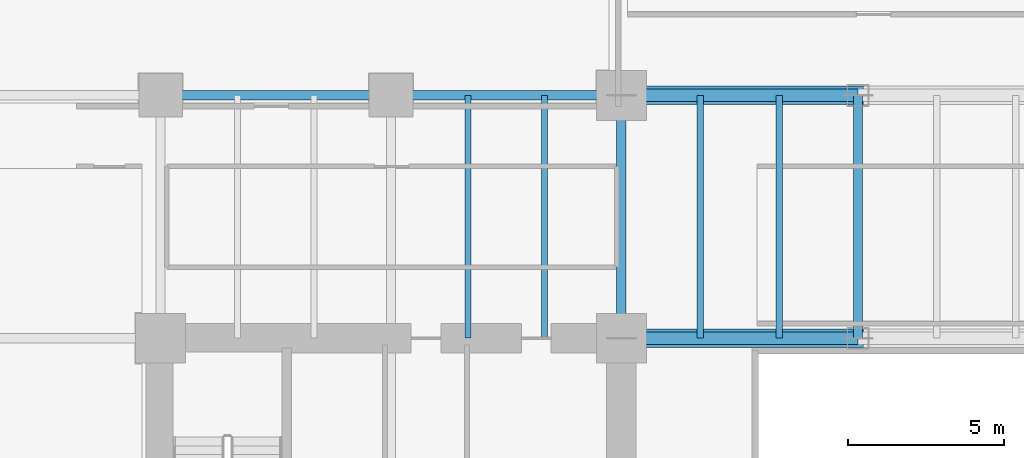
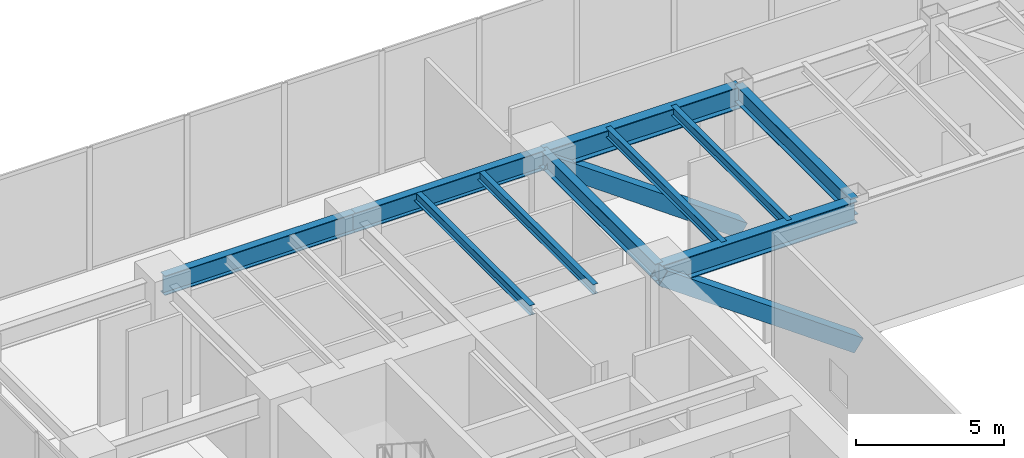
# One storey, part 13 of 35: 10 beams, 2 members.
"""IFC4 building model written with IfcOpenShell, lengths in metres."""

from ifc_helpers import new_model, si_unit, direction, frame, origin, origin_2d, place, context, subcontext, project, spatial, hollow_rectangle, i_section, extrude, source, transform, mapped, material, material_profile, profile_set, type_object, type_shapes, element, save


model = new_model("IFC4")

# Units and contexts
model_context = context("Model", 3, precision=1e-05, world=origin(), true_north=direction((0.0, 1.0)))
body_context = subcontext(model_context, "Body", "Model", "MODEL_VIEW")
ifc_project = project(units=[si_unit("LENGTHUNIT", "METRE"), si_unit("AREAUNIT", "SQUARE_METRE"), si_unit("VOLUMEUNIT", "CUBIC_METRE"), si_unit("PLANEANGLEUNIT", "RADIAN"), si_unit("MASSUNIT", "GRAM", prefix="KILO")], contexts=[model_context])

# Site, building, storey
site_placement = place(None, origin())
site = spatial("IfcSite", under=ifc_project, at=site_placement, CompositionType="ELEMENT")
building_placement = place(site_placement, origin())
building = spatial("IfcBuilding", under=site, at=building_placement, Name="Haelvirn Gate Laboratories", CompositionType="ELEMENT")
storey_placement = place(building_placement, frame((0.0, 0.0, 19.800048828125)))
storey = spatial("IfcBuildingStorey", under=building, at=storey_placement, Name="L05", CompositionType="ELEMENT", Elevation=19.800048828125)

# Beams
ifc_material_1 = material(Name="Steel SM420", Category="steel")
ifc_material_profile_1 = material_profile(ifc_material_1, i_section(OverallWidth=0.300048828125, OverallDepth=0.800048828125, WebThickness=0.013916015625, FlangeThickness=0.02587890625, at=origin_2d()), Name="H-800x300x14x26")
ifc_profile_set_1 = profile_set([ifc_material_profile_1], Name="Steel SM420")
beam_type_1 = type_object("IfcBeamType", Name="BM-G-800", PredefinedType="BEAM", material=ifc_profile_set_1)
shared_shape_1 = source(origin(), body_context, "Body", "SweptSolid", [
    extrude(i_section(OverallWidth=0.300048828125, OverallDepth=0.800048828125, WebThickness=0.013916015625, FlangeThickness=0.02587890625, at=origin_2d()), origin(), (0.0, 0.0, 1.0), 7.400146484375),
])
beam_1_placement = place(storey_placement, frame((7.39990234375, 41.60009765625, 4.679931640625), z_axis=(1.0, 0.0, 0.0), x_axis=(0.0, 1.0, 0.0)))
element("IfcBeam", 1, at=beam_1_placement, inside=storey, type_object=beam_type_1, Name="L05 Primary Girder Y41.6 (7.4-14.8)", PredefinedType="BEAM", context=body_context, shape_type="MappedRepresentation", body=[
    mapped(shared_shape_1, transform((0.0, 0.0, 0.0), scale=1.0)),
])
shared_shape_2 = source(origin(), body_context, "Body", "SweptSolid", [
    extrude(i_section(OverallWidth=0.300048828125, OverallDepth=0.800048828125, WebThickness=0.013916015625, FlangeThickness=0.02587890625, at=origin_2d()), origin(), (0.0, 0.0, 1.0), 7.39990234375),
])
type_shapes(beam_type_1, [shared_shape_1, shared_shape_2])
beam_2_placement = place(storey_placement, frame((14.800048828125, 41.60009765625, 4.679931640625), z_axis=(1.0, 0.0, 0.0), x_axis=(0.0, 1.0, 0.0)))
element("IfcBeam", 2, at=beam_2_placement, inside=storey, type_object=beam_type_1, Name="L05 Primary Girder Y41.6 (14.8-22.2)", PredefinedType="BEAM", context=body_context, shape_type="MappedRepresentation", body=[
    mapped(shared_shape_2, transform((0.0, 0.0, 0.0), scale=1.0)),
])
ifc_material_2 = material(Name="Steel SM355", Category="steel")
ifc_material_profile_2 = material_profile(ifc_material_2, i_section(OverallWidth=0.199951171875, OverallDepth=0.39990234375, WebThickness=0.008056640625, FlangeThickness=0.012939453125, at=origin_2d()), Name="H-400x200x8x13")
ifc_profile_set_2 = profile_set([ifc_material_profile_2], Name="Steel SM355")
beam_type_2 = type_object("IfcBeamType", Name="BM-J-400", PredefinedType="JOIST", material=ifc_profile_set_2)
shared_shape_3 = source(origin(), body_context, "Body", "SweptSolid", [
    extrude(i_section(OverallWidth=0.199951171875, OverallDepth=0.39990234375, WebThickness=0.008056640625, FlangeThickness=0.012939453125, at=origin_2d()), origin(), (0.0, 0.0, 1.0), 7.800048828125),
])
type_shapes(beam_type_2, [shared_shape_3])
for number, where, z_axis, x_axis, name in (
    (3, (17.27001953125, 33.800048828125, 4.8798828125), (0.0, 1.0, 0.0), (-1.0, 0.0, 0.0), "L05 Composite Lab Joist North X17.27"),
    (4, (19.72998046875, 33.800048828125, 4.8798828125), (0.0, 1.0, 0.0), (-1.0, 0.0, 0.0), "L05 Composite Lab Joist North X19.73"),
    (5, (24.72998046875, 33.800048828125, 4.8798828125), (0.0, 1.0, 0.0), (-1.0, 0.0, 0.0), "L05 Composite Lab Joist North X24.73"),
    (6, (27.27001953125, 33.800048828125, 4.8798828125), (0.0, 1.0, 0.0), (-1.0, 0.0, 0.0), "L05 Composite Lab Joist North X27.27"),
):
    element("IfcBeam", number, at=place(storey_placement, frame(where, z_axis=z_axis, x_axis=x_axis)), inside=storey, type_object=beam_type_2, Name=name, PredefinedType="JOIST", context=body_context, shape_type="MappedRepresentation", body=[
        mapped(shared_shape_3, transform((0.0, 0.0, 0.0), scale=1.0)),
    ])
ifc_material_profile_3 = material_profile(ifc_material_2, i_section(OverallWidth=0.300048828125, OverallDepth=0.699951171875, WebThickness=0.012939453125, FlangeThickness=0.02392578125, at=origin_2d()), Name="H-700x300x13x24")
ifc_profile_set_3 = profile_set([ifc_material_profile_3], Name="Steel SM355")
beam_type_3 = type_object("IfcBeamType", Name="BM-G-700", PredefinedType="BEAM", material=ifc_profile_set_3)
shared_shape_4 = source(origin(), body_context, "Body", "SweptSolid", [
    extrude(i_section(OverallWidth=0.300048828125, OverallDepth=0.699951171875, WebThickness=0.012939453125, FlangeThickness=0.02392578125, at=origin_2d()), origin(), (0.0, 0.0, 1.0), 7.800048828125),
])
type_shapes(beam_type_3, [shared_shape_4])
for number, where, z_axis, x_axis, name in (
    (7, (22.199951171875, 33.800048828125, 4.72998046875), (0.0, 1.0, 0.0), (-1.0, 0.0, 0.0), "L05 Frame Girder X22.2 (33.8-41.6)"),
    (8, (29.800048828125, 33.800048828125, 4.72998046875), (0.0, 1.0, 0.0), (-1.0, 0.0, 0.0), "L05 Frame Girder X29.8 (33.8-41.6)"),
):
    element("IfcBeam", number, at=place(storey_placement, frame(where, z_axis=z_axis, x_axis=x_axis)), inside=storey, type_object=beam_type_3, Name=name, PredefinedType="BEAM", context=body_context, shape_type="MappedRepresentation", body=[
        mapped(shared_shape_4, transform((0.0, 0.0, 0.0), scale=1.0)),
    ])
ifc_material_profile_4 = material_profile(ifc_material_1, i_section(OverallWidth=0.39990234375, OverallDepth=0.89990234375, WebThickness=0.01904296875, FlangeThickness=0.031982421875, at=origin_2d()), Name="H-900x400x19x32")
ifc_profile_set_4 = profile_set([ifc_material_profile_4], Name="Steel SM420")
beam_type_4 = type_object("IfcBeamType", Name="BM-TG-900", PredefinedType="BEAM", material=ifc_profile_set_4)
shared_shape_5 = source(origin(), body_context, "Body", "SweptSolid", [
    extrude(i_section(OverallWidth=0.39990234375, OverallDepth=0.89990234375, WebThickness=0.01904296875, FlangeThickness=0.031982421875, at=origin_2d()), origin(), (0.0, 0.0, 1.0), 7.60009765625),
])
type_shapes(beam_type_4, [shared_shape_5])
for number, where, z_axis, x_axis, name in (
    (9, (22.199951171875, 33.800048828125, 4.6298828125), (1.0, 0.0, 0.0), (0.0, 1.0, 0.0), "L05 Primary Girder Y33.8 (22.2-29.8)"),
    (10, (22.199951171875, 41.60009765625, 4.6298828125), (1.0, 0.0, 0.0), (0.0, 1.0, 0.0), "L05 Primary Girder Y41.6 (22.2-29.8)"),
):
    element("IfcBeam", number, at=place(storey_placement, frame(where, z_axis=z_axis, x_axis=x_axis)), inside=storey, type_object=beam_type_4, Name=name, PredefinedType="BEAM", context=body_context, shape_type="MappedRepresentation", body=[
        mapped(shared_shape_5, transform((0.0, 0.0, 0.0), scale=1.0)),
    ])

# Members
ifc_material_profile_5 = material_profile(ifc_material_1, hollow_rectangle(XDim=0.60009765625, YDim=0.60009765625, WallThickness=0.028076171875, at=origin_2d()), Name="BOX-600x600x28")
ifc_profile_set_5 = profile_set([ifc_material_profile_5], Name="Steel SM420")
member_type = type_object("IfcMemberType", Name="MEM-TRUSS-DIAG", PredefinedType="BRACE", material=ifc_profile_set_5)
shared_shape_6 = source(origin(), body_context, "Body", "SweptSolid", [
    extrude(hollow_rectangle(XDim=0.60009765625, YDim=0.60009765625, WallThickness=0.028076171875, at=origin_2d()), origin(), (0.0, 0.0, 1.0), 9.340576171875),
])
type_shapes(member_type, [shared_shape_6])
for number, where, z_axis, x_axis, name in (
    (11, (22.199951171875, 33.800048828125, 4.6298828125), (0.813668121692, 0.0, -0.581329672167), (0.0, 1.0, 0.0), "L05 Portal Transfer Truss Diagonal Y33.8-1"),
    (12, (22.199951171875, 41.60009765625, 4.6298828125), (0.813668121692, 0.0, -0.581329672167), (0.0, 1.0, 0.0), "L05 Portal Transfer Truss Diagonal Y41.6-1"),
):
    element("IfcMember", number, at=place(storey_placement, frame(where, z_axis=z_axis, x_axis=x_axis)), inside=storey, type_object=member_type, Name=name, PredefinedType="BRACE", context=body_context, shape_type="MappedRepresentation", body=[
        mapped(shared_shape_6, transform((0.0, 0.0, 0.0), scale=1.0)),
    ])

save(model, "model.ifc")
